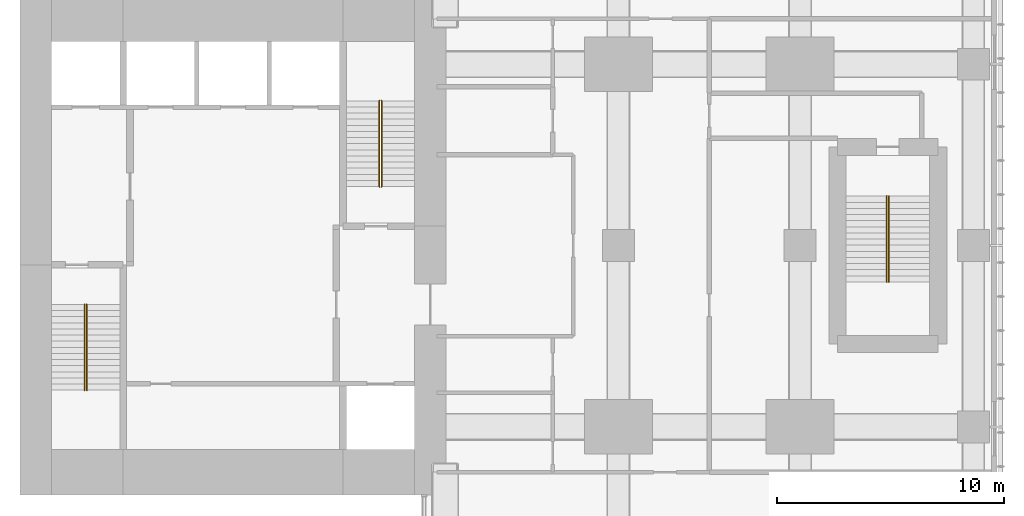
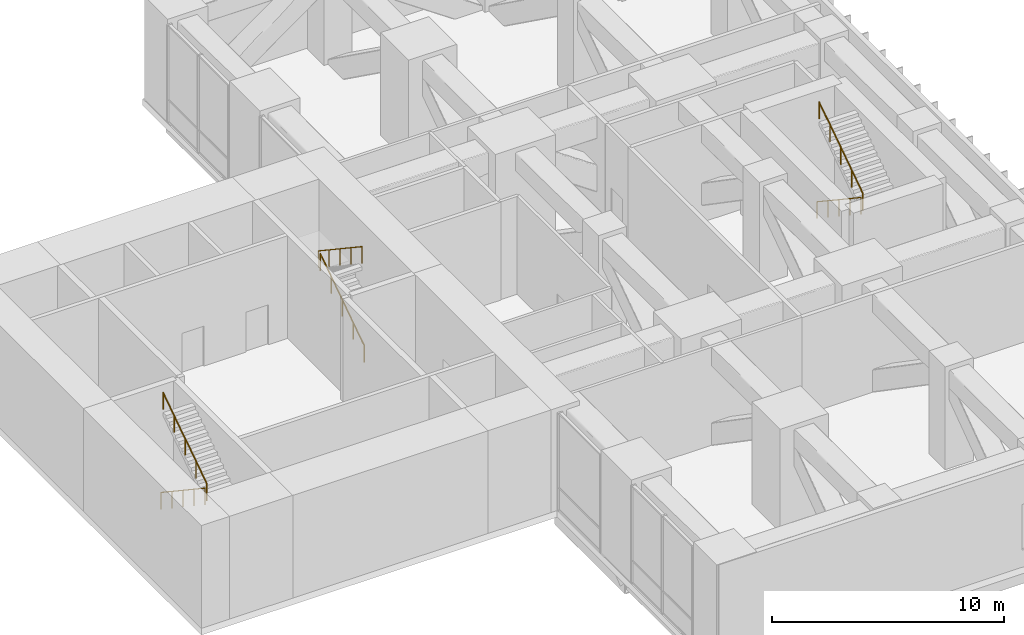
# One storey, part 10 of 10: 6 railings.
"""IFC4 building model written with IfcOpenShell, lengths in metres."""

import ifcopenshell
import ifcopenshell.guid

model = None  # the IFC model being written
_history = None  # IfcOwnerHistory: only IFC2X3 demands one
_inside = {}  # id of a spatial element -> (the spatial element, [elements in it])
_under = {}  # id of a project, library or spatial element -> (it, [spatial elements below it])
_declared = {}  # id of a project -> (the project, [libraries it declares])
_typed = {}  # id of a type object -> (the type object, [elements of that type])
_made_of = {}  # id of a material, layer set ... -> (it, [elements and type objects made of it])


def new_model(schema):
    """Start an empty IFC model of exactly this schema.

    Asked for "IFC4X3", IfcOpenShell would pick the latest addendum, in which some entities
    have other attributes; the version numbers below select the first issue.
    IFC2X3 requires an IfcOwnerHistory on every rooted entity: one is made here for all.
    """
    global model, _history
    if schema == "IFC4X3":
        model = ifcopenshell.file(schema_version=(4, 3, 0, 0))
    else:
        model = ifcopenshell.file(schema=schema)
    _inside.clear()
    _under.clear()
    _declared.clear()
    _typed.clear()
    _made_of.clear()
    _history = None
    if model.schema == "IFC2X3":
        org = make("IfcOrganization", Name="unknown")
        user = make(
            "IfcPersonAndOrganization",
            ThePerson=make("IfcPerson", FamilyName="unknown"),
            TheOrganization=org,
        )
        app = make(
            "IfcApplication",
            ApplicationDeveloper=org,
            Version="unknown",
            ApplicationFullName="unknown",
            ApplicationIdentifier="unknown",
        )
        _history = make(
            "IfcOwnerHistory",
            OwningUser=user,
            OwningApplication=app,
            ChangeAction="ADDED",
            CreationDate=0,
        )
    return model


def make(cls, **values):
    """One entity of the class cls with the attributes given. An attribute that is None is left unset."""
    return model.create_entity(
        cls, **{name: value for name, value in values.items() if value is not None}
    )


def rooted(cls, **values):
    """An entity with a GlobalId (a new one), such as an element, a storey or a relation."""
    return make(cls, GlobalId=ifcopenshell.guid.new(), OwnerHistory=_history, **values)


def si_unit(unit_type, name, prefix=None):
    """IfcSIUnit, for example si_unit("LENGTHUNIT", "METRE", prefix="MILLI")."""
    return make("IfcSIUnit", UnitType=unit_type, Prefix=prefix, Name=name)


def assignment(units):
    """IfcUnitAssignment: the units of a project."""
    return None if units is None else make("IfcUnitAssignment", Units=units)


def point(xyz):
    """IfcCartesianPoint."""
    return None if xyz is None else make("IfcCartesianPoint", Coordinates=xyz)


def direction(xyz):
    """IfcDirection."""
    return None if xyz is None else make("IfcDirection", DirectionRatios=xyz)


def frame(location, z_axis=None, x_axis=None):
    """IfcAxis2Placement3D, a coordinate frame: its origin and axes. An axis left out is left unset."""
    return make(
        "IfcAxis2Placement3D",
        Location=point(location),
        Axis=direction(z_axis),
        RefDirection=direction(x_axis),
    )


def frame_2d(location, x_axis=None):
    """IfcAxis2Placement2D, a coordinate frame in the plane: its origin and x axis."""
    return make(
        "IfcAxis2Placement2D", Location=point(location), RefDirection=direction(x_axis)
    )


def origin():
    """The frame at (0, 0, 0) with its axes left unset."""
    return frame((0.0, 0.0, 0.0))


def origin_2d():
    """The frame at (0, 0) in the plane with its x axis left unset."""
    return frame_2d((0.0, 0.0))


def place(relative_to, where):
    """IfcLocalPlacement: puts the frame where relative to a parent placement (None: the world)."""
    return make(
        "IfcLocalPlacement", PlacementRelTo=relative_to, RelativePlacement=where
    )


def context(
    kind, dimensions, precision=None, world=None, true_north=None, identifier=None
):
    """IfcGeometricRepresentationContext, for example the 3D "Model" context."""
    return make(
        "IfcGeometricRepresentationContext",
        ContextIdentifier=identifier,
        ContextType=kind,
        CoordinateSpaceDimension=dimensions,
        Precision=precision,
        WorldCoordinateSystem=world,
        TrueNorth=true_north,
    )


def subcontext(parent, identifier, kind, view, scale=None):
    """IfcGeometricRepresentationSubContext, for example "Body" below "Model"."""
    return make(
        "IfcGeometricRepresentationSubContext",
        ContextIdentifier=identifier,
        ContextType=kind,
        ParentContext=parent,
        TargetScale=scale,
        TargetView=view,
    )


def project(units=None, contexts=None):
    """IfcProject with its units and contexts."""
    return rooted(
        "IfcProject",
        Name="project",
        RepresentationContexts=contexts,
        UnitsInContext=assignment(units),
    )


def spatial(cls, under=None, at=None, **own):
    """A site, building, storey or space (cls), placed at a placement, below another one or the project."""
    s = rooted(cls, ObjectPlacement=at, **own)
    if under is not None:
        _under.setdefault(under.id(), (under, []))[1].append(s)
    return s


def profile(cls, at=None, kind="AREA", **sizes):
    """A parametric profile (cls). Its sizes go by their IFC names, for example OverallWidth=200.0."""
    return make(cls, ProfileType=kind, Position=at, **sizes)


def circle(**sizes):
    """IfcCircleProfileDef."""
    return profile("IfcCircleProfileDef", **sizes)


def extrude(swept, where, along, depth):
    """IfcExtrudedAreaSolid: the profile swept, set in the frame where, extruded along a direction by depth."""
    return make(
        "IfcExtrudedAreaSolid",
        SweptArea=swept,
        Position=where,
        ExtrudedDirection=direction(along),
        Depth=depth,
    )


def shape(context_of_items, identifier, shape_type, items):
    """IfcShapeRepresentation: the items that make up one representation, for example the "Body"."""
    return make(
        "IfcShapeRepresentation",
        ContextOfItems=context_of_items,
        RepresentationIdentifier=identifier,
        RepresentationType=shape_type,
        Items=items,
    )


def material(Name=None, Category=None):
    """IfcMaterial."""
    return make("IfcMaterial", Name=Name, Category=Category)


def made_of(thing, what):
    """Note that an element or type object is made of a material, layer set ...; save() writes the relation."""
    if what is not None:
        _made_of.setdefault(what.id(), (what, []))[1].append(thing)
    return thing


def type_object(cls, material=None, **own):
    """A type object (cls), such as IfcWallType, which elements share."""
    return made_of(rooted(cls, **own), material)


def element(
    cls,
    number,
    at=None,
    inside=None,
    cuts=None,
    type_object=None,
    material=None,
    context=None,
    identifier="Body",
    shape_type=None,
    held_by="IfcProductDefinitionShape",
    body=None,
    shapes=None,
    **own,
):
    """One element of the class cls, such as IfcWall. Its Tag is "e" and its number.

    at: its placement. inside: the storey or other place that contains it. cuts: it is an
    opening in that element (IfcRelVoidsElement). A single representation is given by context,
    identifier, shape_type and body (its items); several are given by shapes. held_by: the class
    of the entity that holds the representations. save() writes the other relations.
    """
    e = rooted(cls, Tag="e%d" % number, ObjectPlacement=at, **own)
    if body is not None:
        shapes = [shape(context, identifier, shape_type, body)]
    if shapes is not None:
        e.Representation = make(held_by, Representations=shapes)
    if inside is not None:
        _inside.setdefault(inside.id(), (inside, []))[1].append(e)
    if cuts is not None:
        rooted(
            "IfcRelVoidsElement", RelatingBuildingElement=cuts, RelatedOpeningElement=e
        )
    if type_object is not None:
        _typed.setdefault(type_object.id(), (type_object, []))[1].append(e)
    return made_of(e, material)


def aggregate(whole, parts):
    """IfcRelAggregates: a whole, such as a stair, and the parts it consists of."""
    return rooted("IfcRelAggregates", RelatingObject=whole, RelatedObjects=parts)


def save(model, path):
    """Write the relations noted so far, then the file.

    IfcRelAggregates (storeys below a building ...), IfcRelContainedInSpatialStructure (elements
    in a storey), IfcRelDefinesByType, IfcRelAssociatesMaterial and IfcRelDeclares: one each for
    every whole, place, type object, material and project.
    """
    for whole, parts in _under.values():
        aggregate(whole, parts)
    for where, things in _inside.values():
        rooted(
            "IfcRelContainedInSpatialStructure",
            RelatedElements=things,
            RelatingStructure=where,
        )
    for kind, things in _typed.values():
        rooted("IfcRelDefinesByType", RelatedObjects=things, RelatingType=kind)
    for what, things in _made_of.values():
        rooted("IfcRelAssociatesMaterial", RelatedObjects=things, RelatingMaterial=what)
    for by, libraries in _declared.values():
        rooted("IfcRelDeclares", RelatingContext=by, RelatedDefinitions=libraries)
    model.write(path)


model = new_model("IFC4")

# Units and contexts
model_context = context("Model", 3, precision=1e-05, world=origin(), true_north=direction((0.0, 1.0)))
body_context = subcontext(model_context, "Body", "Model", "MODEL_VIEW")
ifc_project = project(units=[si_unit("LENGTHUNIT", "METRE"), si_unit("AREAUNIT", "SQUARE_METRE"), si_unit("VOLUMEUNIT", "CUBIC_METRE"), si_unit("PLANEANGLEUNIT", "RADIAN"), si_unit("MASSUNIT", "GRAM", prefix="KILO")], contexts=[model_context])

# Site, building, storey
site_placement = place(None, origin())
site = spatial("IfcSite", under=ifc_project, at=site_placement, CompositionType="ELEMENT")
building_placement = place(site_placement, origin())
building = spatial("IfcBuilding", under=site, at=building_placement, Name="Cleftline Residences", CompositionType="ELEMENT")
storey_placement = place(building_placement, frame((0.0, 0.0, 277.199951171875)))
storey = spatial("IfcBuildingStorey", under=building, at=storey_placement, Name="L73", CompositionType="ELEMENT", Elevation=277.199951171875)

# Railings
ifc_material = material(Name="Stainless steel", Category="steel")
railing_type = type_object("IfcRailingType", Name="HANDRAIL 900", PredefinedType="HANDRAIL", material=ifc_material)
railing_1_placement = place(storey_placement, frame((26.449951171875, 21.39990234375, 0.179931640625)))
element("IfcRailing", 1, at=railing_1_placement, inside=storey, type_object=railing_type, Name="Stair handrail", PredefinedType="HANDRAIL", context=body_context, shape_type="SweptSolid", body=[
    extrude(circle(Radius=0.02392578125, at=origin_2d()), frame((0.0, 0.0, 0.8759765625), z_axis=(0.0, -0.832033757966, 0.554724999982), x_axis=(1.0, 0.0, 0.0)), (0.0, 0.0, 1.0), 4.542724609375),
    extrude(circle(Radius=0.02099609375, at=origin_2d()), origin(), (0.0, 0.0, 1.0), 0.851806640625),
    extrude(circle(Radius=0.02099609375, at=origin_2d()), frame((0.0, -0.94482421875, 0.6298828125)), (0.0, 0.0, 1.0), 0.851806640625),
    extrude(circle(Radius=0.02099609375, at=origin_2d()), frame((0.0, -1.889892578125, 1.260009765625)), (0.0, 0.0, 1.0), 0.851806640625),
    extrude(circle(Radius=0.02099609375, at=origin_2d()), frame((0.0, -2.8349609375, 1.89013671875)), (0.0, 0.0, 1.0), 0.851806640625),
    extrude(circle(Radius=0.02099609375, at=origin_2d()), frame((0.0, -3.77978515625, 2.52001953125)), (0.0, 0.0, 1.0), 0.851806640625),
])
for number, where, name in (
    (2, (26.550048828125, 17.6201171875, 2.880126953125), "Stair handrail"),
    (3, (39.550048828125, 26.60009765625, 0.179931640625), "Stair handrail"),
):
    element("IfcRailing", number, at=place(storey_placement, frame(where)), inside=storey, type_object=railing_type, Name=name, PredefinedType="HANDRAIL", context=body_context, shape_type="SweptSolid", body=[
        extrude(circle(Radius=0.02392578125, at=origin_2d()), frame((0.0, 0.0, 0.8759765625), z_axis=(0.0, 0.832033757966, 0.554724999982), x_axis=(-1.0, 0.0, 0.0)), (0.0, 0.0, 1.0), 4.542724609375),
        extrude(circle(Radius=0.02099609375, at=origin_2d()), origin(), (0.0, 0.0, 1.0), 0.851806640625),
        extrude(circle(Radius=0.02099609375, at=origin_2d()), frame((0.0, 0.94482421875, 0.6298828125)), (0.0, 0.0, 1.0), 0.851806640625),
        extrude(circle(Radius=0.02099609375, at=origin_2d()), frame((0.0, 1.889892578125, 1.260009765625)), (0.0, 0.0, 1.0), 0.851806640625),
        extrude(circle(Radius=0.02099609375, at=origin_2d()), frame((0.0, 2.8349609375, 1.89013671875)), (0.0, 0.0, 1.0), 0.851806640625),
        extrude(circle(Radius=0.02099609375, at=origin_2d()), frame((0.0, 3.77978515625, 2.52001953125)), (0.0, 0.0, 1.0), 0.851806640625),
    ])
railing_2_placement = place(storey_placement, frame((39.449951171875, 30.3798828125, 2.880126953125)))
element("IfcRailing", 4, at=railing_2_placement, inside=storey, type_object=railing_type, Name="Stair handrail", PredefinedType="HANDRAIL", context=body_context, shape_type="SweptSolid", body=[
    extrude(circle(Radius=0.02392578125, at=origin_2d()), frame((0.0, 0.0, 0.8759765625), z_axis=(0.0, -0.832033757966, 0.554724999982), x_axis=(1.0, 0.0, 0.0)), (0.0, 0.0, 1.0), 4.542724609375),
    extrude(circle(Radius=0.02099609375, at=origin_2d()), origin(), (0.0, 0.0, 1.0), 0.851806640625),
    extrude(circle(Radius=0.02099609375, at=origin_2d()), frame((0.0, -0.94482421875, 0.6298828125)), (0.0, 0.0, 1.0), 0.851806640625),
    extrude(circle(Radius=0.02099609375, at=origin_2d()), frame((0.0, -1.889892578125, 1.260009765625)), (0.0, 0.0, 1.0), 0.851806640625),
    extrude(circle(Radius=0.02099609375, at=origin_2d()), frame((0.0, -2.8349609375, 1.89013671875)), (0.0, 0.0, 1.0), 0.851806640625),
    extrude(circle(Radius=0.02099609375, at=origin_2d()), frame((0.0, -3.77978515625, 2.52001953125)), (0.0, 0.0, 1.0), 0.851806640625),
])
railing_3_placement = place(storey_placement, frame((61.824951171875, 26.175048828125, 0.179931640625)))
element("IfcRailing", 5, at=railing_3_placement, inside=storey, type_object=railing_type, Name="Stair handrail", PredefinedType="HANDRAIL", context=body_context, shape_type="SweptSolid", body=[
    extrude(circle(Radius=0.02392578125, at=origin_2d()), frame((0.0, 0.0, 0.8759765625), z_axis=(0.0, -0.832050294338, 0.554700196225), x_axis=(1.0, 0.0, 0.0)), (0.0, 0.0, 1.0), 4.54296875),
    extrude(circle(Radius=0.02099609375, at=origin_2d()), origin(), (0.0, 0.0, 1.0), 0.851806640625),
    extrude(circle(Radius=0.02099609375, at=origin_2d()), frame((0.0, -0.945068359375, 0.6298828125)), (0.0, 0.0, 1.0), 0.851806640625),
    extrude(circle(Radius=0.02099609375, at=origin_2d()), frame((0.0, -1.89013671875, 1.260009765625)), (0.0, 0.0, 1.0), 0.851806640625),
    extrude(circle(Radius=0.02099609375, at=origin_2d()), frame((0.0, -2.8349609375, 1.89013671875)), (0.0, 0.0, 1.0), 0.851806640625),
    extrude(circle(Radius=0.02099609375, at=origin_2d()), frame((0.0, -3.780029296875, 2.52001953125)), (0.0, 0.0, 1.0), 0.851806640625),
])
railing_4_placement = place(storey_placement, frame((61.925048828125, 22.39501953125, 2.880126953125)))
element("IfcRailing", 6, at=railing_4_placement, inside=storey, type_object=railing_type, Name="Stair handrail", PredefinedType="HANDRAIL", context=body_context, shape_type="SweptSolid", body=[
    extrude(circle(Radius=0.02392578125, at=origin_2d()), frame((0.0, 0.0, 0.8759765625), z_axis=(0.0, 0.832050294338, 0.554700196225), x_axis=(-1.0, 0.0, 0.0)), (0.0, 0.0, 1.0), 4.54296875),
    extrude(circle(Radius=0.02099609375, at=origin_2d()), origin(), (0.0, 0.0, 1.0), 0.851806640625),
    extrude(circle(Radius=0.02099609375, at=origin_2d()), frame((0.0, 0.945068359375, 0.6298828125)), (0.0, 0.0, 1.0), 0.851806640625),
    extrude(circle(Radius=0.02099609375, at=origin_2d()), frame((0.0, 1.89013671875, 1.260009765625)), (0.0, 0.0, 1.0), 0.851806640625),
    extrude(circle(Radius=0.02099609375, at=origin_2d()), frame((0.0, 2.8349609375, 1.89013671875)), (0.0, 0.0, 1.0), 0.851806640625),
    extrude(circle(Radius=0.02099609375, at=origin_2d()), frame((0.0, 3.780029296875, 2.52001953125)), (0.0, 0.0, 1.0), 0.851806640625),
])

save(model, "model.ifc")
